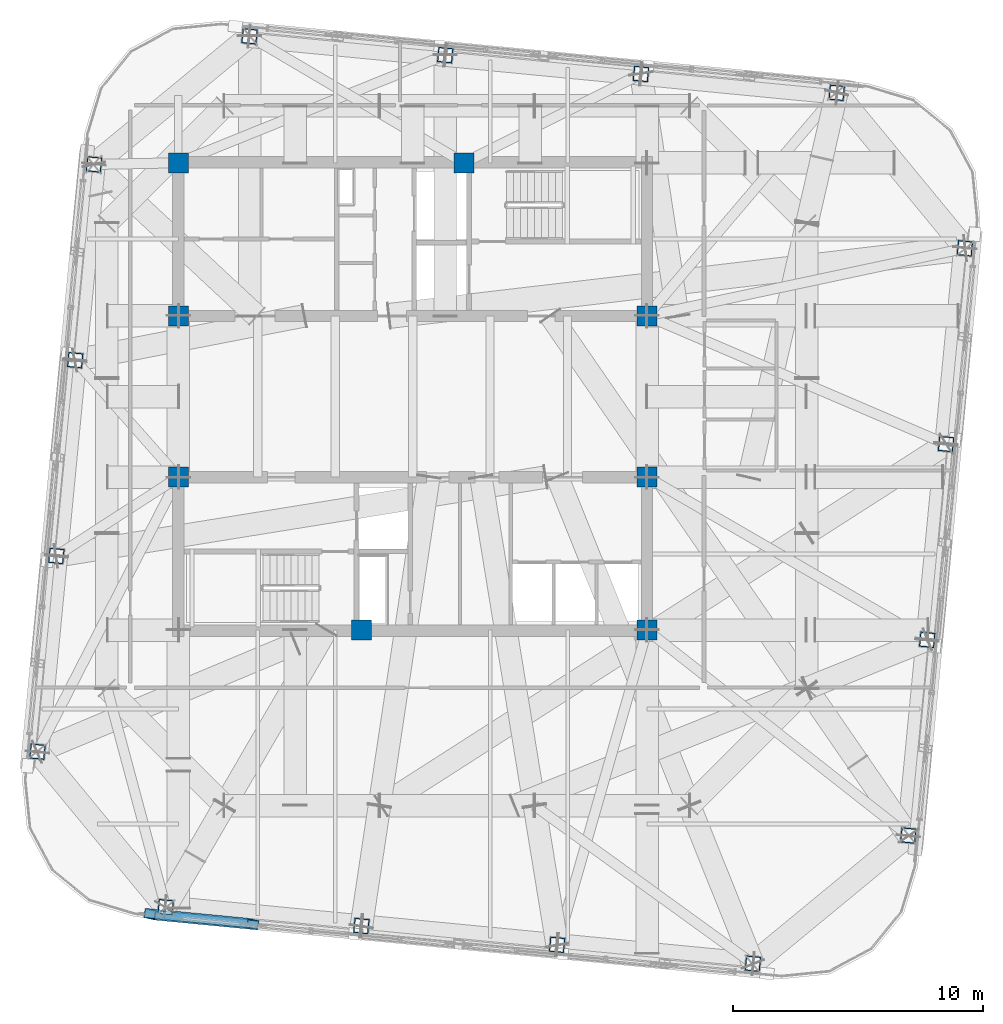
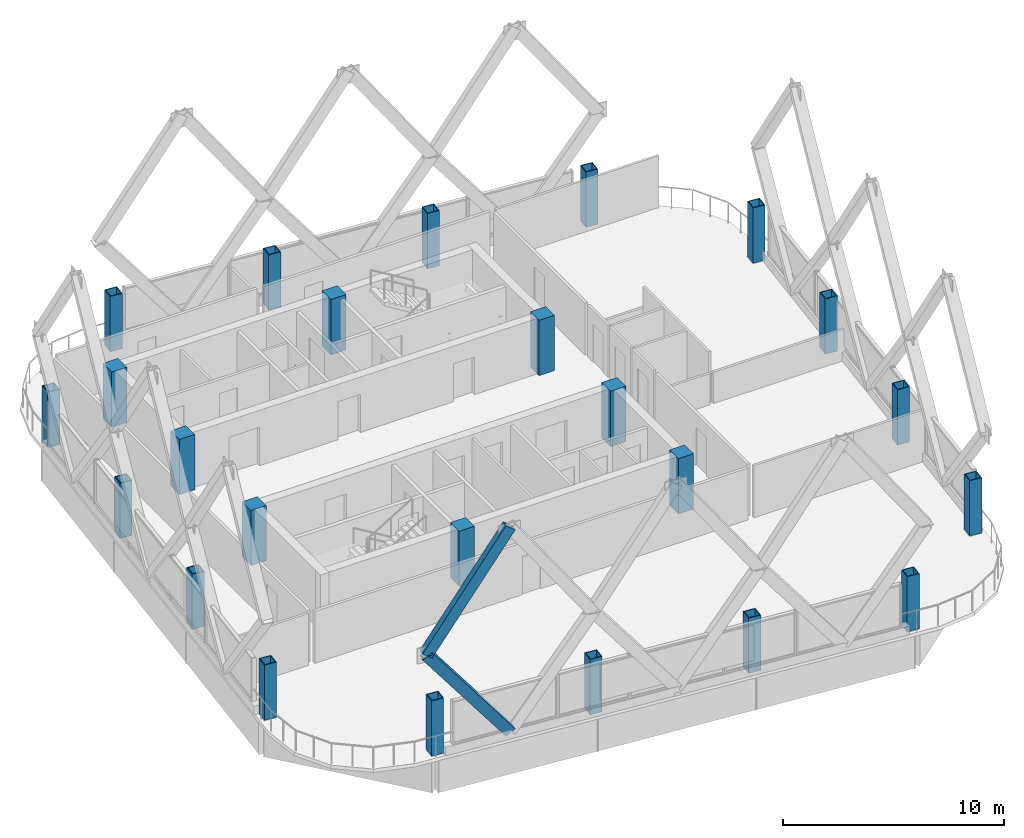
# One storey, part 1 of 31: 24 columns, 2 members.
"""IFC4 building model written with IfcOpenShell, lengths in metres."""

from ifc_helpers import new_model, si_unit, direction, frame, origin, origin_2d, place, context, subcontext, project, spatial, rectangle, hollow_rectangle, extrude, material, material_profile, profile_set, type_object, element, save


model = new_model("IFC4")

# Units and contexts
model_context = context("Model", 3, precision=1e-05, world=origin(), true_north=direction((0.0, 1.0)))
body_context = subcontext(model_context, "Body", "Model", "MODEL_VIEW")
ifc_project = project(units=[si_unit("LENGTHUNIT", "METRE"), si_unit("AREAUNIT", "SQUARE_METRE"), si_unit("VOLUMEUNIT", "CUBIC_METRE"), si_unit("PLANEANGLEUNIT", "RADIAN"), si_unit("MASSUNIT", "GRAM", prefix="KILO")], contexts=[model_context])

# Site, building, storey
site_placement = place(None, origin())
site = spatial("IfcSite", under=ifc_project, at=site_placement, CompositionType="ELEMENT")
building_placement = place(site_placement, origin())
building = spatial("IfcBuilding", under=site, at=building_placement, Name="Qhalaya Broadcast Tower", CompositionType="ELEMENT")
storey_placement = place(building_placement, frame((0.0, 0.0, 242.85009765625)))
storey = spatial("IfcBuildingStorey", under=building, at=storey_placement, Name="L71", CompositionType="ELEMENT", Elevation=242.85009765625)

# Columns
ifc_material_1 = material(Name="Concrete C50/60", Category="concrete")
ifc_material_profile_1 = material_profile(ifc_material_1, rectangle(XDim=0.800048828125, YDim=0.800048828125, at=origin_2d()), Name="RC-COL 800x800")
ifc_profile_set_1 = profile_set([ifc_material_profile_1], Name="Concrete C50/60")
column_type_1 = type_object("IfcColumnType", Name="RC Upper Column C10", PredefinedType="COLUMN", material=ifc_profile_set_1)
for number, where, z_axis, x_axis, name in (
    (1, (-9.375, 9.949951171875, 0.0), (0.0, 0.0, 1.0), (1.0, 0.0, 0.0), "L71 Column COL-CC1"),
    (2, (2.050048828125, 9.949951171875, 0.0), (0.0, 0.0, 1.0), (1.0, 0.0, 0.0), "L71 Column COL-CC2"),
    (3, (-9.375, 3.824951171875, 0.0), (0.0, 0.0, 1.0), (1.0, 0.0, 0.0), "L71 Column COL-CC3"),
    (4, (9.375, 3.824951171875, 0.0), (0.0, 0.0, 1.0), (1.0, 0.0, 0.0), "L71 Column COL-CC4"),
    (5, (-9.375, -2.625, 0.0), (0.0, 0.0, 1.0), (1.0, 0.0, 0.0), "L71 Column COL-CC5"),
    (6, (9.375, -2.625, 0.0), (0.0, 0.0, 1.0), (1.0, 0.0, 0.0), "L71 Column COL-CC6"),
    (7, (-2.050048828125, -8.75, 0.0), (0.0, 0.0, 1.0), (1.0, 0.0, 0.0), "L71 Column COL-CC7"),
    (8, (9.375, -8.75, 0.0), (0.0, 0.0, 1.0), (1.0, 0.0, 0.0), "L71 Column COL-CC8"),
):
    element("IfcColumn", number, at=place(storey_placement, frame(where, z_axis=z_axis, x_axis=x_axis)), inside=storey, type_object=column_type_1, Name=name, PredefinedType="COLUMN", context=body_context, shape_type="SweptSolid", body=[
        extrude(rectangle(XDim=0.800048828125, YDim=0.800048828125, at=origin_2d()), origin(), (0.0, 0.0, 1.0), 3.0498046875),
    ])
ifc_material_2 = material(Name="Structural Steel ASTM A572 Grade 50", Category="steel")
ifc_material_profile_2 = material_profile(ifc_material_2, hollow_rectangle(XDim=0.60009765625, YDim=0.60009765625, WallThickness=0.0400390625, at=origin_2d()), Name="BOX 600x600x40")
ifc_profile_set_2 = profile_set([ifc_material_profile_2], Name="Structural Steel ASTM A572 Grade 50")
column_type_2 = type_object("IfcColumnType", Name="Steel Box Column C05", PredefinedType="COLUMN", material=ifc_profile_set_2)
for number, where, z_axis, x_axis, name in (
    (9, (-9.883056640625, -19.82861328125, 0.0), (0.0, 0.0, 1.0), (0.995396198367, -0.09584575252, 0.0), "L71 Column COL-EX01"),
    (10, (-2.052490234375, -20.58251953125, 0.0), (0.0, 0.0, 1.0), (0.995396198367, -0.09584575252, 0.0), "L71 Column COL-EX02"),
    (11, (5.77783203125, -21.33642578125, 0.0), (0.0, 0.0, 1.0), (0.995396198367, -0.09584575252, 0.0), "L71 Column COL-EX03"),
    (12, (13.6083984375, -22.09033203125, 0.0), (0.0, 0.0, 1.0), (0.995396198367, -0.09584575252, 0.0), "L71 Column COL-EX04"),
    (13, (19.82861328125, -16.962890625, 0.0), (0.0, 0.0, 1.0), (0.09584575252, 0.995396198367, 0.0), "L71 Column COL-EX05"),
    (14, (20.58251953125, -9.132568359375, 0.0), (0.0, 0.0, 1.0), (0.09584575252, 0.995396198367, 0.0), "L71 Column COL-EX06"),
    (15, (21.33642578125, -1.302001953125, 0.0), (0.0, 0.0, 1.0), (0.09584575252, 0.995396198367, 0.0), "L71 Column COL-EX07"),
    (16, (22.09033203125, 6.5283203125, 0.0), (0.0, 0.0, 1.0), (0.09584575252, 0.995396198367, 0.0), "L71 Column COL-EX08"),
    (17, (16.962890625, 12.74853515625, 0.0), (0.0, 0.0, 1.0), (0.995396198367, -0.09584575252, 0.0), "L71 Column COL-EX09"),
    (18, (9.132568359375, 13.50244140625, 0.0), (0.0, 0.0, 1.0), (0.995396198367, -0.09584575252, 0.0), "L71 Column COL-EX10"),
    (19, (1.302001953125, 14.25634765625, 0.0), (0.0, 0.0, 1.0), (0.995396198367, -0.09584575252, 0.0), "L71 Column COL-EX11"),
    (20, (-6.5283203125, 15.010498046875, 0.0), (0.0, 0.0, 1.0), (0.995396198367, -0.09584575252, 0.0), "L71 Column COL-EX12"),
    (21, (-12.74853515625, 9.883056640625, 0.0), (0.0, 0.0, 1.0), (0.09584575252, 0.995396198367, 0.0), "L71 Column COL-EX13"),
    (22, (-13.50244140625, 2.052490234375, 0.0), (0.0, 0.0, 1.0), (0.09584575252, 0.995396198367, 0.0), "L71 Column COL-EX14"),
    (23, (-14.25634765625, -5.77783203125, 0.0), (0.0, 0.0, 1.0), (0.09584575252, 0.995396198367, 0.0), "L71 Column COL-EX15"),
    (24, (-15.010498046875, -13.6083984375, 0.0), (0.0, 0.0, 1.0), (0.09584575252, 0.995396198367, 0.0), "L71 Column COL-EX16"),
):
    element("IfcColumn", number, at=place(storey_placement, frame(where, z_axis=z_axis, x_axis=x_axis)), inside=storey, type_object=column_type_2, Name=name, PredefinedType="COLUMN", context=body_context, shape_type="SweptSolid", body=[
        extrude(hollow_rectangle(XDim=0.60009765625, YDim=0.60009765625, WallThickness=0.0400390625, at=origin_2d()), origin(), (0.0, 0.0, 1.0), 3.0498046875),
    ])

# Members
ifc_material_profile_3 = material_profile(ifc_material_2, hollow_rectangle(XDim=0.3798828125, YDim=0.550048828125, WallThickness=0.02490234375, at=origin_2d()), Name="BOX 380x550x25")
ifc_profile_set_3 = profile_set([ifc_material_profile_3], Name="Structural Steel ASTM A572 Grade 50")
member_type = type_object("IfcMemberType", Name="Exoskeleton Diamond Diagonal Upper EX4", PredefinedType="BRACE", material=ifc_profile_set_3)
member_1_placement = place(storey_placement, frame((-6.3984375, -20.505615234375, 0.35986328125), z_axis=(-0.605362942159, 0.058301925892, 0.793811434597), x_axis=(-0.171157163881, -0.983517925101, -0.058289932722)))
element("IfcMember", 25, at=member_1_placement, inside=storey, type_object=member_type, Name="B6 Exoskeleton Diamond Brace S1-D1", PredefinedType="BRACE", context=body_context, shape_type="SweptSolid", body=[
    extrude(hollow_rectangle(XDim=0.3798828125, YDim=0.550048828125, WallThickness=0.02490234375, at=origin_2d()), origin(), (0.0, 0.0, 1.0), 6.79638671875),
])
member_2_placement = place(storey_placement, frame((-10.5126953125, -20.109375, 5.7548828125), z_axis=(0.572753444041, -0.055161336321, 0.817869622443), x_axis=(0.173452418829, 0.983296871293, -0.055149989195)))
element("IfcMember", 26, at=member_2_placement, inside=storey, type_object=member_type, Name="B6 Exoskeleton Diamond Brace S1-D3", PredefinedType="BRACE", context=body_context, shape_type="SweptSolid", body=[
    extrude(hollow_rectangle(XDim=0.3798828125, YDim=0.550048828125, WallThickness=0.02490234375, at=origin_2d()), origin(), (0.0, 0.0, 1.0), 7.183349609375),
])

save(model, "model.ifc")
